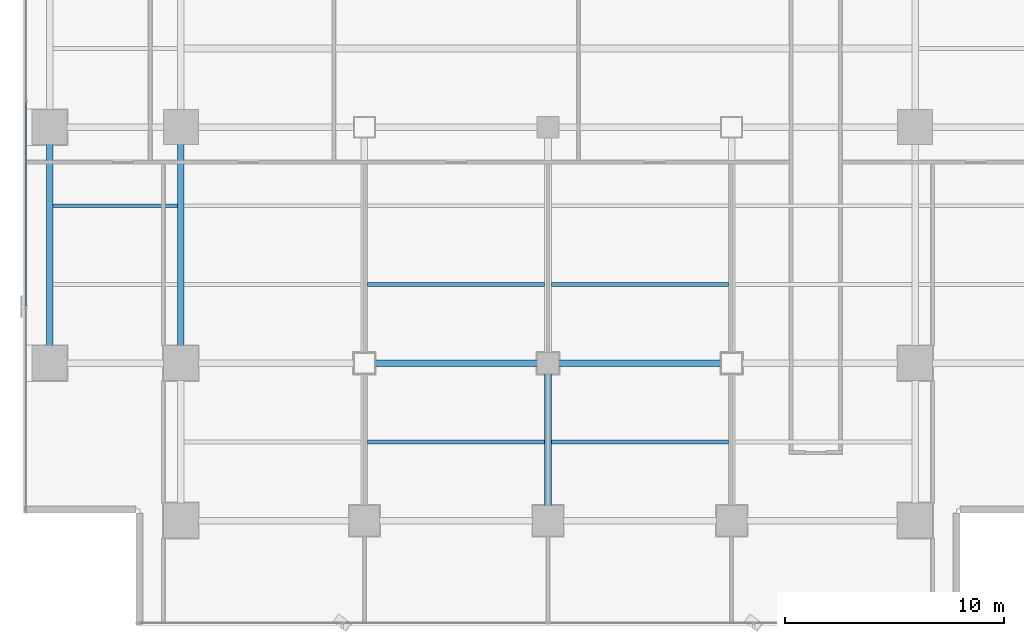
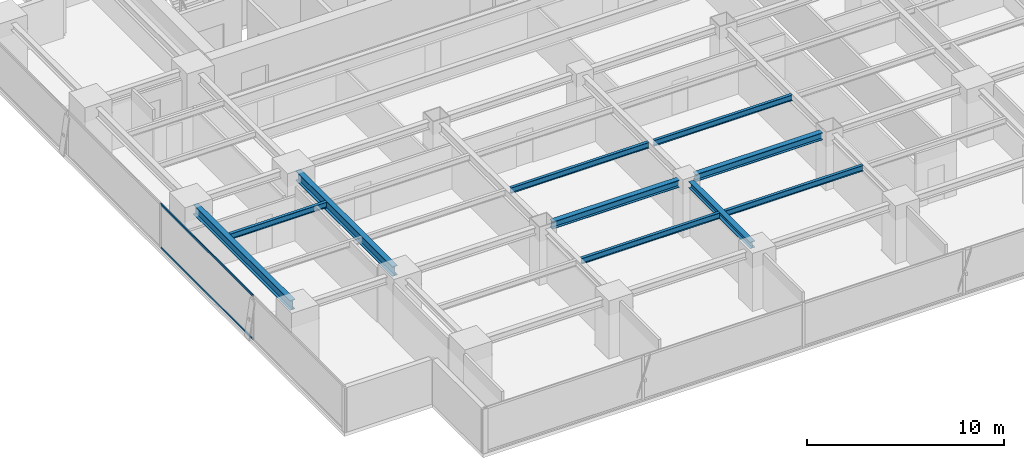
# One storey, part 6 of 28: 10 beams, 2 members, 1 element without a shape of its own.
"""IFC4 building model written with IfcOpenShell, lengths in metres."""

import ifcopenshell
import ifcopenshell.guid

model = None  # the IFC model being written
_history = None  # IfcOwnerHistory: only IFC2X3 demands one
_inside = {}  # id of a spatial element -> (the spatial element, [elements in it])
_under = {}  # id of a project, library or spatial element -> (it, [spatial elements below it])
_declared = {}  # id of a project -> (the project, [libraries it declares])
_typed = {}  # id of a type object -> (the type object, [elements of that type])
_made_of = {}  # id of a material, layer set ... -> (it, [elements and type objects made of it])


def new_model(schema):
    """Start an empty IFC model of exactly this schema.

    Asked for "IFC4X3", IfcOpenShell would pick the latest addendum, in which some entities
    have other attributes; the version numbers below select the first issue.
    IFC2X3 requires an IfcOwnerHistory on every rooted entity: one is made here for all.
    """
    global model, _history
    if schema == "IFC4X3":
        model = ifcopenshell.file(schema_version=(4, 3, 0, 0))
    else:
        model = ifcopenshell.file(schema=schema)
    _inside.clear()
    _under.clear()
    _declared.clear()
    _typed.clear()
    _made_of.clear()
    _history = None
    if model.schema == "IFC2X3":
        org = make("IfcOrganization", Name="unknown")
        user = make(
            "IfcPersonAndOrganization",
            ThePerson=make("IfcPerson", FamilyName="unknown"),
            TheOrganization=org,
        )
        app = make(
            "IfcApplication",
            ApplicationDeveloper=org,
            Version="unknown",
            ApplicationFullName="unknown",
            ApplicationIdentifier="unknown",
        )
        _history = make(
            "IfcOwnerHistory",
            OwningUser=user,
            OwningApplication=app,
            ChangeAction="ADDED",
            CreationDate=0,
        )
    return model


def make(cls, **values):
    """One entity of the class cls with the attributes given. An attribute that is None is left unset."""
    return model.create_entity(
        cls, **{name: value for name, value in values.items() if value is not None}
    )


def rooted(cls, **values):
    """An entity with a GlobalId (a new one), such as an element, a storey or a relation."""
    return make(cls, GlobalId=ifcopenshell.guid.new(), OwnerHistory=_history, **values)


def si_unit(unit_type, name, prefix=None):
    """IfcSIUnit, for example si_unit("LENGTHUNIT", "METRE", prefix="MILLI")."""
    return make("IfcSIUnit", UnitType=unit_type, Prefix=prefix, Name=name)


def assignment(units):
    """IfcUnitAssignment: the units of a project."""
    return None if units is None else make("IfcUnitAssignment", Units=units)


def point(xyz):
    """IfcCartesianPoint."""
    return None if xyz is None else make("IfcCartesianPoint", Coordinates=xyz)


def direction(xyz):
    """IfcDirection."""
    return None if xyz is None else make("IfcDirection", DirectionRatios=xyz)


def frame(location, z_axis=None, x_axis=None):
    """IfcAxis2Placement3D, a coordinate frame: its origin and axes. An axis left out is left unset."""
    return make(
        "IfcAxis2Placement3D",
        Location=point(location),
        Axis=direction(z_axis),
        RefDirection=direction(x_axis),
    )


def frame_2d(location, x_axis=None):
    """IfcAxis2Placement2D, a coordinate frame in the plane: its origin and x axis."""
    return make(
        "IfcAxis2Placement2D", Location=point(location), RefDirection=direction(x_axis)
    )


def origin():
    """The frame at (0, 0, 0) with its axes left unset."""
    return frame((0.0, 0.0, 0.0))


def origin_2d():
    """The frame at (0, 0) in the plane with its x axis left unset."""
    return frame_2d((0.0, 0.0))


def place(relative_to, where):
    """IfcLocalPlacement: puts the frame where relative to a parent placement (None: the world)."""
    return make(
        "IfcLocalPlacement", PlacementRelTo=relative_to, RelativePlacement=where
    )


def context(
    kind, dimensions, precision=None, world=None, true_north=None, identifier=None
):
    """IfcGeometricRepresentationContext, for example the 3D "Model" context."""
    return make(
        "IfcGeometricRepresentationContext",
        ContextIdentifier=identifier,
        ContextType=kind,
        CoordinateSpaceDimension=dimensions,
        Precision=precision,
        WorldCoordinateSystem=world,
        TrueNorth=true_north,
    )


def subcontext(parent, identifier, kind, view, scale=None):
    """IfcGeometricRepresentationSubContext, for example "Body" below "Model"."""
    return make(
        "IfcGeometricRepresentationSubContext",
        ContextIdentifier=identifier,
        ContextType=kind,
        ParentContext=parent,
        TargetScale=scale,
        TargetView=view,
    )


def project(units=None, contexts=None):
    """IfcProject with its units and contexts."""
    return rooted(
        "IfcProject",
        Name="project",
        RepresentationContexts=contexts,
        UnitsInContext=assignment(units),
    )


def spatial(cls, under=None, at=None, **own):
    """A site, building, storey or space (cls), placed at a placement, below another one or the project."""
    s = rooted(cls, ObjectPlacement=at, **own)
    if under is not None:
        _under.setdefault(under.id(), (under, []))[1].append(s)
    return s


def profile(cls, at=None, kind="AREA", **sizes):
    """A parametric profile (cls). Its sizes go by their IFC names, for example OverallWidth=200.0."""
    return make(cls, ProfileType=kind, Position=at, **sizes)


def hollow_rectangle(**sizes):
    """IfcRectangleHollowProfileDef."""
    return profile("IfcRectangleHollowProfileDef", **sizes)


def i_section(**sizes):
    """IfcIShapeProfileDef."""
    return profile("IfcIShapeProfileDef", **sizes)


def extrude(swept, where, along, depth):
    """IfcExtrudedAreaSolid: the profile swept, set in the frame where, extruded along a direction by depth."""
    return make(
        "IfcExtrudedAreaSolid",
        SweptArea=swept,
        Position=where,
        ExtrudedDirection=direction(along),
        Depth=depth,
    )


def shape(context_of_items, identifier, shape_type, items):
    """IfcShapeRepresentation: the items that make up one representation, for example the "Body"."""
    return make(
        "IfcShapeRepresentation",
        ContextOfItems=context_of_items,
        RepresentationIdentifier=identifier,
        RepresentationType=shape_type,
        Items=items,
    )


def source(mapping_origin, context_of_items, identifier, shape_type, items):
    """IfcRepresentationMap: a shape defined once, which mapped items show again and again."""
    return make(
        "IfcRepresentationMap",
        MappingOrigin=mapping_origin,
        MappedRepresentation=shape(context_of_items, identifier, shape_type, items),
    )


def transform(
    local_origin,
    x_axis=None,
    y_axis=None,
    z_axis=None,
    scale=None,
    scale2=None,
    scale3=None,
    uniform=True,
):
    """IfcCartesianTransformationOperator3D, or its non-uniform kind. x_axis, y_axis, z_axis: its Axis1, 2, 3."""
    if uniform:
        return make(
            "IfcCartesianTransformationOperator3D",
            Axis1=direction(x_axis),
            Axis2=direction(y_axis),
            LocalOrigin=point(local_origin),
            Scale=scale,
            Axis3=direction(z_axis),
        )
    return make(
        "IfcCartesianTransformationOperator3DnonUniform",
        Axis1=direction(x_axis),
        Axis2=direction(y_axis),
        LocalOrigin=point(local_origin),
        Scale=scale,
        Axis3=direction(z_axis),
        Scale2=scale2,
        Scale3=scale3,
    )


def mapped(mapping_source, mapping_target):
    """IfcMappedItem: shows the shape of a source again, moved by a transform."""
    return make(
        "IfcMappedItem", MappingSource=mapping_source, MappingTarget=mapping_target
    )


def material(Name=None, Category=None):
    """IfcMaterial."""
    return make("IfcMaterial", Name=Name, Category=Category)


def layer(
    of_material, thickness, ventilated=None, Name=None, Category=None, Priority=None
):
    """IfcMaterialLayer: one layer of a wall or slab, of a material (None: an air gap)."""
    return make(
        "IfcMaterialLayer",
        Material=of_material,
        LayerThickness=thickness,
        IsVentilated=ventilated,
        Name=Name,
        Category=Category,
        Priority=Priority,
    )


def layer_set(layers, Name=None):
    """IfcMaterialLayerSet."""
    return make("IfcMaterialLayerSet", MaterialLayers=layers, LayerSetName=Name)


def material_profile(
    of_material, cross_section, Name=None, Category=None, Priority=None
):
    """IfcMaterialProfile: a cross section and its material."""
    return make(
        "IfcMaterialProfile",
        Name=Name,
        Material=of_material,
        Profile=cross_section,
        Priority=Priority,
        Category=Category,
    )


def profile_set(profiles, Name=None, composite=None):
    """IfcMaterialProfileSet."""
    return make(
        "IfcMaterialProfileSet",
        Name=Name,
        MaterialProfiles=profiles,
        CompositeProfile=composite,
    )


def made_of(thing, what):
    """Note that an element or type object is made of a material, layer set ...; save() writes the relation."""
    if what is not None:
        _made_of.setdefault(what.id(), (what, []))[1].append(thing)
    return thing


def type_object(cls, material=None, **own):
    """A type object (cls), such as IfcWallType, which elements share."""
    return made_of(rooted(cls, **own), material)


def element(
    cls,
    number,
    at=None,
    inside=None,
    cuts=None,
    type_object=None,
    material=None,
    context=None,
    identifier="Body",
    shape_type=None,
    held_by="IfcProductDefinitionShape",
    body=None,
    shapes=None,
    **own,
):
    """One element of the class cls, such as IfcWall. Its Tag is "e" and its number.

    at: its placement. inside: the storey or other place that contains it. cuts: it is an
    opening in that element (IfcRelVoidsElement). A single representation is given by context,
    identifier, shape_type and body (its items); several are given by shapes. held_by: the class
    of the entity that holds the representations. save() writes the other relations.
    """
    e = rooted(cls, Tag="e%d" % number, ObjectPlacement=at, **own)
    if body is not None:
        shapes = [shape(context, identifier, shape_type, body)]
    if shapes is not None:
        e.Representation = make(held_by, Representations=shapes)
    if inside is not None:
        _inside.setdefault(inside.id(), (inside, []))[1].append(e)
    if cuts is not None:
        rooted(
            "IfcRelVoidsElement", RelatingBuildingElement=cuts, RelatedOpeningElement=e
        )
    if type_object is not None:
        _typed.setdefault(type_object.id(), (type_object, []))[1].append(e)
    return made_of(e, material)


def aggregate(whole, parts):
    """IfcRelAggregates: a whole, such as a stair, and the parts it consists of."""
    return rooted("IfcRelAggregates", RelatingObject=whole, RelatedObjects=parts)


def save(model, path):
    """Write the relations noted so far, then the file.

    IfcRelAggregates (storeys below a building ...), IfcRelContainedInSpatialStructure (elements
    in a storey), IfcRelDefinesByType, IfcRelAssociatesMaterial and IfcRelDeclares: one each for
    every whole, place, type object, material and project.
    """
    for whole, parts in _under.values():
        aggregate(whole, parts)
    for where, things in _inside.values():
        rooted(
            "IfcRelContainedInSpatialStructure",
            RelatedElements=things,
            RelatingStructure=where,
        )
    for kind, things in _typed.values():
        rooted("IfcRelDefinesByType", RelatedObjects=things, RelatingType=kind)
    for what, things in _made_of.values():
        rooted("IfcRelAssociatesMaterial", RelatedObjects=things, RelatingMaterial=what)
    for by, libraries in _declared.values():
        rooted("IfcRelDeclares", RelatingContext=by, RelatedDefinitions=libraries)
    model.write(path)


model = new_model("IFC4")

# Units and contexts
model_context = context("Model", 3, precision=1e-05, world=origin(), true_north=direction((0.0, 1.0)))
body_context = subcontext(model_context, "Body", "Model", "MODEL_VIEW")
ifc_project = project(units=[si_unit("LENGTHUNIT", "METRE"), si_unit("AREAUNIT", "SQUARE_METRE"), si_unit("VOLUMEUNIT", "CUBIC_METRE"), si_unit("PLANEANGLEUNIT", "RADIAN"), si_unit("MASSUNIT", "GRAM", prefix="KILO")], contexts=[model_context])

# Site, building, storey
site_placement = place(None, origin())
site = spatial("IfcSite", under=ifc_project, at=site_placement, CompositionType="ELEMENT")
building_placement = place(site_placement, origin())
building = spatial("IfcBuilding", under=site, at=building_placement, Name="Sumidabori Civic Tower", CompositionType="ELEMENT")
storey_placement = place(building_placement, frame((0.0, 0.0, 146.0)))
storey = spatial("IfcBuildingStorey", under=building, at=storey_placement, Name="L37", CompositionType="ELEMENT", Elevation=146.0)

# Beams
ifc_material_1 = material(Name="Steel SN490", Category="steel")
ifc_material_profile_1 = material_profile(ifc_material_1, i_section(OverallWidth=0.300048828125, OverallDepth=0.39990234375, WebThickness=0.013427734375, FlangeThickness=0.02392578125, at=origin_2d()), Name="HE 400 B")
ifc_profile_set_1 = profile_set([ifc_material_profile_1], Name="Steel SN490")
beam_type_1 = type_object("IfcBeamType", Name="BM-GIRD-400", PredefinedType="BEAM", material=ifc_profile_set_1)
shared_shape_1 = source(origin(), body_context, "Body", "SweptSolid", [
    extrude(i_section(OverallWidth=0.300048828125, OverallDepth=0.39990234375, WebThickness=0.013427734375, FlangeThickness=0.02392578125, at=origin_2d()), origin(), (0.0, 0.0, 1.0), 6.239990234375),
])
beam_1_placement = place(storey_placement, frame((0.0, -17.52001953125, 3.179931640625), z_axis=(0.0, 1.0, 0.0), x_axis=(-1.0, 0.0, 0.0)))
element("IfcBeam", 1, at=beam_1_placement, inside=storey, type_object=beam_type_1, Name="Primary Girder L37 GY-28", PredefinedType="BEAM", context=body_context, shape_type="MappedRepresentation", body=[
    mapped(shared_shape_1, transform((0.0, 0.0, 0.0), x_axis=(1.0, 0.0, 0.0), y_axis=(0.0, 1.0, 0.0), z_axis=(0.0, 0.0, 1.0), scale=1.0)),
])
ifc_material_profile_2 = material_profile(ifc_material_1, i_section(OverallWidth=0.300048828125, OverallDepth=0.60009765625, WebThickness=0.015380859375, FlangeThickness=0.030029296875, at=origin_2d()), Name="HE 600 B")
ifc_profile_set_2 = profile_set([ifc_material_profile_2], Name="Steel SN490")
beam_type_2 = type_object("IfcBeamType", Name="BM-GIRD-600", PredefinedType="BEAM", material=ifc_profile_set_2)
shared_shape_2 = source(origin(), body_context, "Body", "SweptSolid", [
    extrude(i_section(OverallWidth=0.300048828125, OverallDepth=0.60009765625, WebThickness=0.015380859375, FlangeThickness=0.030029296875, at=origin_2d()), origin(), (0.0, 0.0, 1.0), 9.840087890625),
])
for number, where, z_axis, x_axis, name in (
    (2, (-22.800048828125, -10.320068359375, 3.080078125), (0.0, 1.0, 0.0), (-1.0, 0.0, 0.0), "Primary Girder L37 GY-19"),
    (3, (-16.800048828125, -10.320068359375, 3.080078125), (0.0, 1.0, 0.0), (-1.0, 0.0, 0.0), "Primary Girder L37 GY-23"),
):
    element("IfcBeam", number, at=place(storey_placement, frame(where, z_axis=z_axis, x_axis=x_axis)), inside=storey, type_object=beam_type_2, Name=name, PredefinedType="BEAM", context=body_context, shape_type="MappedRepresentation", body=[
        mapped(shared_shape_2, transform((0.0, 0.0, 0.0), x_axis=(1.0, 0.0, 0.0), y_axis=(0.0, 1.0, 0.0), z_axis=(0.0, 0.0, 1.0), scale=1.0)),
    ])
ifc_material_profile_3 = material_profile(ifc_material_1, i_section(OverallWidth=0.169921875, OverallDepth=0.360107421875, WebThickness=0.008056640625, FlangeThickness=0.0126953125, at=origin_2d()), Name="IPE 360")
ifc_profile_set_3 = profile_set([ifc_material_profile_3], Name="Steel SN490")
beam_type_3 = type_object("IfcBeamType", Name="BM-JST-360", PredefinedType="JOIST", material=ifc_profile_set_3)
shared_shape_3 = source(origin(), body_context, "Body", "SweptSolid", [
    extrude(i_section(OverallWidth=0.169921875, OverallDepth=0.360107421875, WebThickness=0.008056640625, FlangeThickness=0.0126953125, at=origin_2d()), origin(), (0.0, 0.0, 1.0), 5.699951171875),
])
beam_2_placement = place(storey_placement, frame((-22.64990234375, -3.60009765625, 3.199951171875), z_axis=(1.0, 0.0, 0.0), x_axis=(0.0, 1.0, 0.0)))
element("IfcBeam", 4, at=beam_2_placement, inside=storey, type_object=beam_type_3, Name="Outer Bay Floor Joist L37 JSTO-41", PredefinedType="JOIST", context=body_context, shape_type="MappedRepresentation", body=[
    mapped(shared_shape_3, transform((0.0, 0.0, 0.0), x_axis=(1.0, 0.0, 0.0), y_axis=(0.0, 1.0, 0.0), z_axis=(0.0, 0.0, 1.0), scale=1.0)),
])
shared_shape_4 = source(origin(), body_context, "Body", "SweptSolid", [
    extrude(i_section(OverallWidth=0.169921875, OverallDepth=0.360107421875, WebThickness=0.008056640625, FlangeThickness=0.0126953125, at=origin_2d()), origin(), (0.0, 0.0, 1.0), 8.10009765625),
])
for number, where, z_axis, x_axis, name in (
    (5, (-8.25, -14.39990234375, 3.199951171875), (1.0, 0.0, 0.0), (0.0, 1.0, 0.0), "South Bay Floor Joist L37 JSTS-50"),
    (6, (0.14990234375, -14.39990234375, 3.199951171875), (1.0, 0.0, 0.0), (0.0, 1.0, 0.0), "South Bay Floor Joist L37 JSTS-51"),
    (7, (-8.25, -7.199951171875, 3.199951171875), (1.0, 0.0, 0.0), (0.0, 1.0, 0.0), "South Bay Floor Joist L37 JSTS-54"),
    (8, (0.14990234375, -7.199951171875, 3.199951171875), (1.0, 0.0, 0.0), (0.0, 1.0, 0.0), "South Bay Floor Joist L37 JSTS-55"),
):
    element("IfcBeam", number, at=place(storey_placement, frame(where, z_axis=z_axis, x_axis=x_axis)), inside=storey, type_object=beam_type_3, Name=name, PredefinedType="JOIST", context=body_context, shape_type="MappedRepresentation", body=[
        mapped(shared_shape_4, transform((0.0, 0.0, 0.0), x_axis=(1.0, 0.0, 0.0), y_axis=(0.0, 1.0, 0.0), z_axis=(0.0, 0.0, 1.0), scale=1.0)),
    ])
ifc_material_profile_4 = material_profile(ifc_material_1, i_section(OverallWidth=0.300048828125, OverallDepth=0.449951171875, WebThickness=0.013916015625, FlangeThickness=0.02587890625, at=origin_2d()), Name="HE 450 B")
ifc_profile_set_4 = profile_set([ifc_material_profile_4], Name="Steel SN490")
beam_type_4 = type_object("IfcBeamType", Name="BM-GIRD-450", PredefinedType="BEAM", material=ifc_profile_set_4)
shared_shape_5 = source(origin(), body_context, "Body", "SweptSolid", [
    extrude(i_section(OverallWidth=0.300048828125, OverallDepth=0.449951171875, WebThickness=0.013916015625, FlangeThickness=0.02587890625, at=origin_2d()), origin(), (0.0, 0.0, 1.0), 7.43994140625),
])
for number, where, z_axis, x_axis, name in (
    (9, (-7.919921875, -10.800048828125, 3.155029296875), (1.0, 0.0, 0.0), (0.0, 1.0, 0.0), "Primary Girder L37 GX-07"),
    (10, (0.47998046875, -10.800048828125, 3.155029296875), (1.0, 0.0, 0.0), (0.0, 1.0, 0.0), "Primary Girder L37 GX-08"),
):
    element("IfcBeam", number, at=place(storey_placement, frame(where, z_axis=z_axis, x_axis=x_axis)), inside=storey, type_object=beam_type_4, Name=name, PredefinedType="BEAM", context=body_context, shape_type="MappedRepresentation", body=[
        mapped(shared_shape_5, transform((0.0, 0.0, 0.0), x_axis=(1.0, 0.0, 0.0), y_axis=(0.0, 1.0, 0.0), z_axis=(0.0, 0.0, 1.0), scale=1.0)),
    ])

# Curtain wall, members
ifc_material_2 = material(Name="Anodised Bronze Aluminium AW-6063-T6", Category="aluminium")
ifc_layer = layer(ifc_material_2, 0.179931640625, Name="Anodised Bronze Aluminium AW-6063-T6")
ifc_layer_set = layer_set([ifc_layer], Name="Anodised Bronze Aluminium AW-6063-T6")
curtain_wall_type = type_object("IfcCurtainWallType", Name="CW-SYS-3", PredefinedType="NOTDEFINED", material=ifc_layer_set)
curtain_wall_placement = place(storey_placement, origin())
curtain_wall = element("IfcCurtainWall", 11, at=curtain_wall_placement, inside=storey, type_object=curtain_wall_type, Name="Curtain Wall CW:L37:R10", PredefinedType="NOTDEFINED")
ifc_material_profile_5 = material_profile(ifc_material_2, hollow_rectangle(XDim=0.06005859375, YDim=0.1298828125, WallThickness=0.0048828125, at=origin_2d()), Name="ALU TRANSOM 130x60")
ifc_profile_set_5 = profile_set([ifc_material_profile_5], Name="Anodised Bronze Aluminium AW-6063-T6")
member_type = type_object("IfcMemberType", Name="CW-TRN-130", PredefinedType="USERDEFINED", material=ifc_profile_set_5)
shared_shape_6 = source(origin(), body_context, "Body", "SweptSolid", [
    extrude(hollow_rectangle(XDim=0.06005859375, YDim=0.1298828125, WallThickness=0.0048828125, at=origin_2d()), origin(), (0.0, 0.0, 1.0), 9.344970703125),
])
member_1_placement = place(storey_placement, frame((-23.8798828125, 1.16748046875, 0.030029296875), z_axis=(0.0, -1.0, 0.0), x_axis=(1.0, 0.0, 0.0)))
member_1 = element("IfcMember", 12, at=member_1_placement, type_object=member_type, Name="CW-3 transom 3.1", ObjectType="TRANSOM", PredefinedType="USERDEFINED", context=body_context, shape_type="MappedRepresentation", body=[
    mapped(shared_shape_6, transform((0.0, 0.0, 0.0), x_axis=(1.0, 0.0, 0.0), y_axis=(0.0, 1.0, 0.0), z_axis=(0.0, 0.0, 1.0), scale=1.0)),
])
member_2_placement = place(storey_placement, frame((-23.8798828125, 1.16748046875, 2.72998046875), z_axis=(0.0, -1.0, 0.0), x_axis=(1.0, 0.0, 0.0)))
member_2 = element("IfcMember", 13, at=member_2_placement, type_object=member_type, Name="CW-3 transom 3.2", ObjectType="TRANSOM", PredefinedType="USERDEFINED", context=body_context, shape_type="MappedRepresentation", body=[
    mapped(shared_shape_6, transform((0.0, 0.0, 0.0), x_axis=(1.0, 0.0, 0.0), y_axis=(0.0, 1.0, 0.0), z_axis=(0.0, 0.0, 1.0), scale=1.0)),
])
aggregate(curtain_wall, [member_1, member_2])

save(model, "model.ifc")
